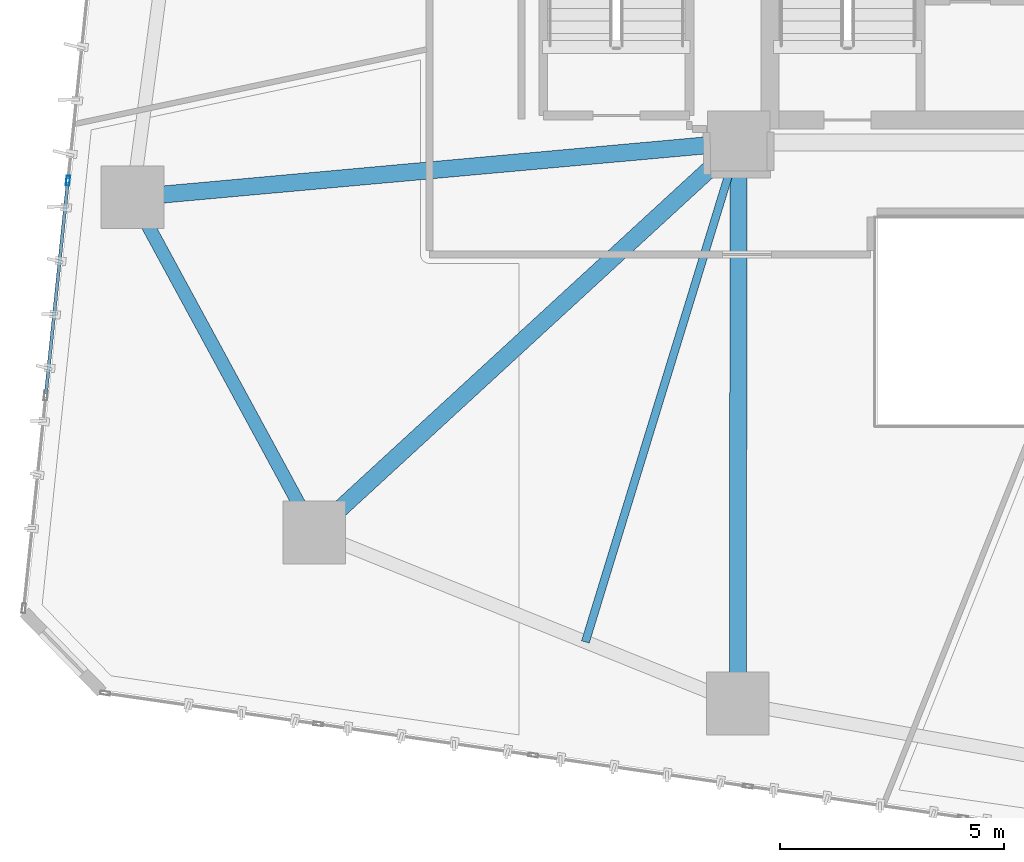
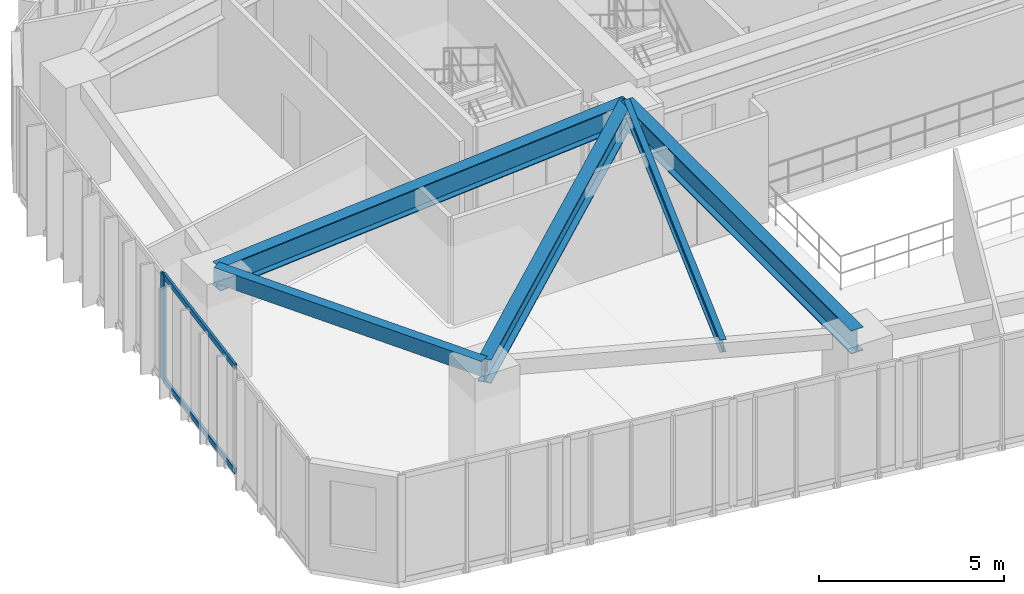
# One storey, part 3 of 22: 5 beams, 3 members, 1 element without a shape of its own.
"""IFC4 building model written with IfcOpenShell, lengths in metres."""

import ifcopenshell
import ifcopenshell.guid

model = None  # the IFC model being written
_history = None  # IfcOwnerHistory: only IFC2X3 demands one
_inside = {}  # id of a spatial element -> (the spatial element, [elements in it])
_under = {}  # id of a project, library or spatial element -> (it, [spatial elements below it])
_declared = {}  # id of a project -> (the project, [libraries it declares])
_typed = {}  # id of a type object -> (the type object, [elements of that type])
_made_of = {}  # id of a material, layer set ... -> (it, [elements and type objects made of it])


def new_model(schema):
    """Start an empty IFC model of exactly this schema.

    Asked for "IFC4X3", IfcOpenShell would pick the latest addendum, in which some entities
    have other attributes; the version numbers below select the first issue.
    IFC2X3 requires an IfcOwnerHistory on every rooted entity: one is made here for all.
    """
    global model, _history
    if schema == "IFC4X3":
        model = ifcopenshell.file(schema_version=(4, 3, 0, 0))
    else:
        model = ifcopenshell.file(schema=schema)
    _inside.clear()
    _under.clear()
    _declared.clear()
    _typed.clear()
    _made_of.clear()
    _history = None
    if model.schema == "IFC2X3":
        org = make("IfcOrganization", Name="unknown")
        user = make(
            "IfcPersonAndOrganization",
            ThePerson=make("IfcPerson", FamilyName="unknown"),
            TheOrganization=org,
        )
        app = make(
            "IfcApplication",
            ApplicationDeveloper=org,
            Version="unknown",
            ApplicationFullName="unknown",
            ApplicationIdentifier="unknown",
        )
        _history = make(
            "IfcOwnerHistory",
            OwningUser=user,
            OwningApplication=app,
            ChangeAction="ADDED",
            CreationDate=0,
        )
    return model


def make(cls, **values):
    """One entity of the class cls with the attributes given. An attribute that is None is left unset."""
    return model.create_entity(
        cls, **{name: value for name, value in values.items() if value is not None}
    )


def rooted(cls, **values):
    """An entity with a GlobalId (a new one), such as an element, a storey or a relation."""
    return make(cls, GlobalId=ifcopenshell.guid.new(), OwnerHistory=_history, **values)


def si_unit(unit_type, name, prefix=None):
    """IfcSIUnit, for example si_unit("LENGTHUNIT", "METRE", prefix="MILLI")."""
    return make("IfcSIUnit", UnitType=unit_type, Prefix=prefix, Name=name)


def assignment(units):
    """IfcUnitAssignment: the units of a project."""
    return None if units is None else make("IfcUnitAssignment", Units=units)


def point(xyz):
    """IfcCartesianPoint."""
    return None if xyz is None else make("IfcCartesianPoint", Coordinates=xyz)


def direction(xyz):
    """IfcDirection."""
    return None if xyz is None else make("IfcDirection", DirectionRatios=xyz)


def frame(location, z_axis=None, x_axis=None):
    """IfcAxis2Placement3D, a coordinate frame: its origin and axes. An axis left out is left unset."""
    return make(
        "IfcAxis2Placement3D",
        Location=point(location),
        Axis=direction(z_axis),
        RefDirection=direction(x_axis),
    )


def frame_2d(location, x_axis=None):
    """IfcAxis2Placement2D, a coordinate frame in the plane: its origin and x axis."""
    return make(
        "IfcAxis2Placement2D", Location=point(location), RefDirection=direction(x_axis)
    )


def origin():
    """The frame at (0, 0, 0) with its axes left unset."""
    return frame((0.0, 0.0, 0.0))


def origin_2d():
    """The frame at (0, 0) in the plane with its x axis left unset."""
    return frame_2d((0.0, 0.0))


def place(relative_to, where):
    """IfcLocalPlacement: puts the frame where relative to a parent placement (None: the world)."""
    return make(
        "IfcLocalPlacement", PlacementRelTo=relative_to, RelativePlacement=where
    )


def context(
    kind, dimensions, precision=None, world=None, true_north=None, identifier=None
):
    """IfcGeometricRepresentationContext, for example the 3D "Model" context."""
    return make(
        "IfcGeometricRepresentationContext",
        ContextIdentifier=identifier,
        ContextType=kind,
        CoordinateSpaceDimension=dimensions,
        Precision=precision,
        WorldCoordinateSystem=world,
        TrueNorth=true_north,
    )


def subcontext(parent, identifier, kind, view, scale=None):
    """IfcGeometricRepresentationSubContext, for example "Body" below "Model"."""
    return make(
        "IfcGeometricRepresentationSubContext",
        ContextIdentifier=identifier,
        ContextType=kind,
        ParentContext=parent,
        TargetScale=scale,
        TargetView=view,
    )


def project(units=None, contexts=None):
    """IfcProject with its units and contexts."""
    return rooted(
        "IfcProject",
        Name="project",
        RepresentationContexts=contexts,
        UnitsInContext=assignment(units),
    )


def spatial(cls, under=None, at=None, **own):
    """A site, building, storey or space (cls), placed at a placement, below another one or the project."""
    s = rooted(cls, ObjectPlacement=at, **own)
    if under is not None:
        _under.setdefault(under.id(), (under, []))[1].append(s)
    return s


def profile(cls, at=None, kind="AREA", **sizes):
    """A parametric profile (cls). Its sizes go by their IFC names, for example OverallWidth=200.0."""
    return make(cls, ProfileType=kind, Position=at, **sizes)


def hollow_rectangle(**sizes):
    """IfcRectangleHollowProfileDef."""
    return profile("IfcRectangleHollowProfileDef", **sizes)


def i_section(**sizes):
    """IfcIShapeProfileDef."""
    return profile("IfcIShapeProfileDef", **sizes)


def extrude(swept, where, along, depth):
    """IfcExtrudedAreaSolid: the profile swept, set in the frame where, extruded along a direction by depth."""
    return make(
        "IfcExtrudedAreaSolid",
        SweptArea=swept,
        Position=where,
        ExtrudedDirection=direction(along),
        Depth=depth,
    )


def shape(context_of_items, identifier, shape_type, items):
    """IfcShapeRepresentation: the items that make up one representation, for example the "Body"."""
    return make(
        "IfcShapeRepresentation",
        ContextOfItems=context_of_items,
        RepresentationIdentifier=identifier,
        RepresentationType=shape_type,
        Items=items,
    )


def source(mapping_origin, context_of_items, identifier, shape_type, items):
    """IfcRepresentationMap: a shape defined once, which mapped items show again and again."""
    return make(
        "IfcRepresentationMap",
        MappingOrigin=mapping_origin,
        MappedRepresentation=shape(context_of_items, identifier, shape_type, items),
    )


def transform(
    local_origin,
    x_axis=None,
    y_axis=None,
    z_axis=None,
    scale=None,
    scale2=None,
    scale3=None,
    uniform=True,
):
    """IfcCartesianTransformationOperator3D, or its non-uniform kind. x_axis, y_axis, z_axis: its Axis1, 2, 3."""
    if uniform:
        return make(
            "IfcCartesianTransformationOperator3D",
            Axis1=direction(x_axis),
            Axis2=direction(y_axis),
            LocalOrigin=point(local_origin),
            Scale=scale,
            Axis3=direction(z_axis),
        )
    return make(
        "IfcCartesianTransformationOperator3DnonUniform",
        Axis1=direction(x_axis),
        Axis2=direction(y_axis),
        LocalOrigin=point(local_origin),
        Scale=scale,
        Axis3=direction(z_axis),
        Scale2=scale2,
        Scale3=scale3,
    )


def mapped(mapping_source, mapping_target):
    """IfcMappedItem: shows the shape of a source again, moved by a transform."""
    return make(
        "IfcMappedItem", MappingSource=mapping_source, MappingTarget=mapping_target
    )


def material(Name=None, Category=None):
    """IfcMaterial."""
    return make("IfcMaterial", Name=Name, Category=Category)


def layer(
    of_material, thickness, ventilated=None, Name=None, Category=None, Priority=None
):
    """IfcMaterialLayer: one layer of a wall or slab, of a material (None: an air gap)."""
    return make(
        "IfcMaterialLayer",
        Material=of_material,
        LayerThickness=thickness,
        IsVentilated=ventilated,
        Name=Name,
        Category=Category,
        Priority=Priority,
    )


def layer_set(layers, Name=None):
    """IfcMaterialLayerSet."""
    return make("IfcMaterialLayerSet", MaterialLayers=layers, LayerSetName=Name)


def material_profile(
    of_material, cross_section, Name=None, Category=None, Priority=None
):
    """IfcMaterialProfile: a cross section and its material."""
    return make(
        "IfcMaterialProfile",
        Name=Name,
        Material=of_material,
        Profile=cross_section,
        Priority=Priority,
        Category=Category,
    )


def profile_set(profiles, Name=None, composite=None):
    """IfcMaterialProfileSet."""
    return make(
        "IfcMaterialProfileSet",
        Name=Name,
        MaterialProfiles=profiles,
        CompositeProfile=composite,
    )


def made_of(thing, what):
    """Note that an element or type object is made of a material, layer set ...; save() writes the relation."""
    if what is not None:
        _made_of.setdefault(what.id(), (what, []))[1].append(thing)
    return thing


def type_object(cls, material=None, **own):
    """A type object (cls), such as IfcWallType, which elements share."""
    return made_of(rooted(cls, **own), material)


def type_shapes(of_type, sources):
    """Give a type object the sources (RepresentationMaps) that its elements show as mapped items."""
    of_type.RepresentationMaps = sources


def element(
    cls,
    number,
    at=None,
    inside=None,
    cuts=None,
    type_object=None,
    material=None,
    context=None,
    identifier="Body",
    shape_type=None,
    held_by="IfcProductDefinitionShape",
    body=None,
    shapes=None,
    **own,
):
    """One element of the class cls, such as IfcWall. Its Tag is "e" and its number.

    at: its placement. inside: the storey or other place that contains it. cuts: it is an
    opening in that element (IfcRelVoidsElement). A single representation is given by context,
    identifier, shape_type and body (its items); several are given by shapes. held_by: the class
    of the entity that holds the representations. save() writes the other relations.
    """
    e = rooted(cls, Tag="e%d" % number, ObjectPlacement=at, **own)
    if body is not None:
        shapes = [shape(context, identifier, shape_type, body)]
    if shapes is not None:
        e.Representation = make(held_by, Representations=shapes)
    if inside is not None:
        _inside.setdefault(inside.id(), (inside, []))[1].append(e)
    if cuts is not None:
        rooted(
            "IfcRelVoidsElement", RelatingBuildingElement=cuts, RelatedOpeningElement=e
        )
    if type_object is not None:
        _typed.setdefault(type_object.id(), (type_object, []))[1].append(e)
    return made_of(e, material)


def aggregate(whole, parts):
    """IfcRelAggregates: a whole, such as a stair, and the parts it consists of."""
    return rooted("IfcRelAggregates", RelatingObject=whole, RelatedObjects=parts)


def save(model, path):
    """Write the relations noted so far, then the file.

    IfcRelAggregates (storeys below a building ...), IfcRelContainedInSpatialStructure (elements
    in a storey), IfcRelDefinesByType, IfcRelAssociatesMaterial and IfcRelDeclares: one each for
    every whole, place, type object, material and project.
    """
    for whole, parts in _under.values():
        aggregate(whole, parts)
    for where, things in _inside.values():
        rooted(
            "IfcRelContainedInSpatialStructure",
            RelatedElements=things,
            RelatingStructure=where,
        )
    for kind, things in _typed.values():
        rooted("IfcRelDefinesByType", RelatedObjects=things, RelatingType=kind)
    for what, things in _made_of.values():
        rooted("IfcRelAssociatesMaterial", RelatedObjects=things, RelatingMaterial=what)
    for by, libraries in _declared.values():
        rooted("IfcRelDeclares", RelatingContext=by, RelatedDefinitions=libraries)
    model.write(path)


model = new_model("IFC4")

# Units and contexts
model_context = context("Model", 3, precision=1e-05, world=origin(), true_north=direction((0.0, 1.0)))
body_context = subcontext(model_context, "Body", "Model", "MODEL_VIEW")
ifc_project = project(units=[si_unit("LENGTHUNIT", "METRE"), si_unit("AREAUNIT", "SQUARE_METRE"), si_unit("VOLUMEUNIT", "CUBIC_METRE"), si_unit("PLANEANGLEUNIT", "RADIAN"), si_unit("MASSUNIT", "GRAM", prefix="KILO")], contexts=[model_context])

# Site, building, storey
site_placement = place(None, origin())
site = spatial("IfcSite", under=ifc_project, at=site_placement, CompositionType="ELEMENT")
building_placement = place(site_placement, origin())
building = spatial("IfcBuilding", under=site, at=building_placement, Name="Talar Marvaseh", CompositionType="ELEMENT")
storey_placement = place(building_placement, frame((0.0, 0.0, 65.800048828125)))
storey = spatial("IfcBuildingStorey", under=building, at=storey_placement, Name="L16", CompositionType="ELEMENT", Elevation=65.800048828125)

# Beams
ifc_material_1 = material(Name="Steel S355", Category="steel")
ifc_material_profile_1 = material_profile(ifc_material_1, hollow_rectangle(XDim=0.300048828125, YDim=0.5, WallThickness=0.02001953125, at=origin_2d()), Name="RHS500x300x20")
ifc_profile_set_1 = profile_set([ifc_material_profile_1], Name="Steel S355")
beam_type_1 = type_object("IfcBeamType", Name="Zone 1 Perimeter Spandrel Beam RHS500x300x20", PredefinedType="SPANDREL", material=ifc_profile_set_1)
beam_1_placement = place(storey_placement, frame((9.23193359375, 16.7958984375, 3.27001953125), z_axis=(-0.476758155578, 0.879034505062, 0.0), x_axis=(-0.879034505062, -0.476758155578, 0.0)))
element("IfcBeam", 1, at=beam_1_placement, inside=storey, type_object=beam_type_1, Name="L16 Zone 1 Perimeter Spandrel Beam RHS500x300x20", PredefinedType="SPANDREL", context=body_context, shape_type="SweptSolid", body=[
    extrude(hollow_rectangle(XDim=0.300048828125, YDim=0.5, WallThickness=0.02001953125, at=origin_2d()), origin(), (0.0, 0.0, 1.0), 8.50927734375),
])
ifc_material_profile_2 = material_profile(ifc_material_1, i_section(OverallWidth=0.381103515625, OverallDepth=0.77294921875, WebThickness=0.0166015625, FlangeThickness=0.027099609375, at=origin_2d()), Name="W760x257")
ifc_profile_set_2 = profile_set([ifc_material_profile_2], Name="Steel S355")
beam_type_2 = type_object("IfcBeamType", Name="Zone 1 Radial Floor Girder W760x257", PredefinedType="BEAM", material=ifc_profile_set_2)
beam_2_placement = place(storey_placement, frame((18.68310546875, 12.97900390625, 3.133544921875), z_axis=(0.001345395187, 0.999999094955, 0.0), x_axis=(-0.999999094955, 0.001345395187, 0.0)))
element("IfcBeam", 2, at=beam_2_placement, inside=storey, type_object=beam_type_2, Name="L16 Zone 1 Radial Floor Girder W760x257", PredefinedType="BEAM", context=body_context, shape_type="SweptSolid", body=[
    extrude(i_section(OverallWidth=0.381103515625, OverallDepth=0.77294921875, WebThickness=0.0166015625, FlangeThickness=0.027099609375, at=origin_2d()), origin(), (0.0, 0.0, 1.0), 12.52099609375),
])
beam_3_placement = place(storey_placement, frame((9.23193359375, 16.7958984375, 3.133544921875), z_axis=(0.736181804049, 0.676783829142, 0.0), x_axis=(-0.676783829142, 0.736181804049, 0.0)))
element("IfcBeam", 3, at=beam_3_placement, inside=storey, type_object=beam_type_2, Name="L16 Zone 1 Radial Floor Girder W760x257", PredefinedType="BEAM", context=body_context, shape_type="SweptSolid", body=[
    extrude(i_section(OverallWidth=0.381103515625, OverallDepth=0.77294921875, WebThickness=0.0166015625, FlangeThickness=0.027099609375, at=origin_2d()), origin(), (0.0, 0.0, 1.0), 12.861083984375),
])
beam_4_placement = place(storey_placement, frame((5.175048828125, 24.27587890625, 3.133544921875), z_axis=(0.995929083348, 0.090140229321, 0.0), x_axis=(-0.090140229321, 0.995929083348, 0.0)))
element("IfcBeam", 4, at=beam_4_placement, inside=storey, type_object=beam_type_2, Name="L16 Zone 1 Radial Floor Girder W760x257", PredefinedType="BEAM", context=body_context, shape_type="SweptSolid", body=[
    extrude(i_section(OverallWidth=0.381103515625, OverallDepth=0.77294921875, WebThickness=0.0166015625, FlangeThickness=0.027099609375, at=origin_2d()), origin(), (0.0, 0.0, 1.0), 13.580078125),
])
ifc_material_profile_3 = material_profile(ifc_material_1, i_section(OverallWidth=0.179931640625, OverallDepth=0.4130859375, WebThickness=0.009765625, FlangeThickness=0.01611328125, at=origin_2d()), Name="W410x75")
ifc_profile_set_3 = profile_set([ifc_material_profile_3], Name="Steel S355")
beam_type_3 = type_object("IfcBeamType", Name="Zone 1 Secondary Floor Joist W410x75", PredefinedType="JOIST", material=ifc_profile_set_3)
beam_5_placement = place(storey_placement, frame((15.280517578125, 14.35302734375, 3.3134765625), z_axis=(0.293270595159, 0.956029475495, 0.0), x_axis=(-0.956029475495, 0.293270595159, 0.0)))
element("IfcBeam", 5, at=beam_5_placement, inside=storey, type_object=beam_type_3, Name="L16 Zone 1 Secondary Floor Joist W410x75", PredefinedType="JOIST", context=body_context, shape_type="SweptSolid", body=[
    extrude(i_section(OverallWidth=0.179931640625, OverallDepth=0.4130859375, WebThickness=0.009765625, FlangeThickness=0.01611328125, at=origin_2d()), origin(), (0.0, 0.0, 1.0), 11.65966796875),
])

# Curtain wall, members
ifc_material_2 = material(Name="Architectural Aluminium", Category="aluminium")
ifc_layer = layer(ifc_material_2, 0.219970703125)
ifc_layer_set = layer_set([ifc_layer], Name="Architectural Aluminium")
curtain_wall_type = type_object("IfcCurtainWallType", Name="Unitised Low-E Museum Curtain Wall Z1", PredefinedType="NOTDEFINED", material=ifc_layer_set)
curtain_wall_placement = place(storey_placement, origin())
curtain_wall = element("IfcCurtainWall", 6, at=curtain_wall_placement, inside=storey, type_object=curtain_wall_type, Name="L16 Unitised Low-E Museum Curtain Wall Z1", PredefinedType="NOTDEFINED")
ifc_material_profile_4 = material_profile(ifc_material_2, hollow_rectangle(XDim=0.080078125, YDim=0.219970703125, WallThickness=0.0048828125, at=origin_2d()), Name="RHS220x80x5")
ifc_profile_set_4 = profile_set([ifc_material_profile_4], Name="Architectural Aluminium")
member_type_1 = type_object("IfcMemberType", Name="Unitised Curtain Wall Heavy Mullion RHS220x80x5", PredefinedType="MULLION", material=ifc_profile_set_4)
shared_shape_1 = source(origin(), body_context, "Body", "SweptSolid", [
    extrude(hollow_rectangle(XDim=0.080078125, YDim=0.219970703125, WallThickness=0.0048828125, at=origin_2d()), origin(), (0.0, 0.0, 1.0), 3.52001953125),
])
type_shapes(member_type_1, [shared_shape_1])
member_1_placement = place(storey_placement, frame((3.733642578125, 24.64599609375, 0.0), z_axis=(0.0, 0.0, 1.0), x_axis=(-0.994696116213, 0.102857359443, 0.0)))
member_1 = element("IfcMember", 7, at=member_1_placement, type_object=member_type_1, Name="CW-Z1 mullion 3", PredefinedType="MULLION", context=body_context, shape_type="MappedRepresentation", body=[
    mapped(shared_shape_1, transform((0.0, 0.0, 0.0), x_axis=(1.0, 0.0, 0.0), y_axis=(0.0, 1.0, 0.0), z_axis=(0.0, 0.0, 1.0), scale=1.0)),
])
ifc_material_profile_5 = material_profile(ifc_material_2, hollow_rectangle(XDim=0.074951171875, YDim=0.179931640625, WallThickness=0.0048828125, at=origin_2d()), Name="RHS180x75x5")
ifc_profile_set_5 = profile_set([ifc_material_profile_5], Name="Architectural Aluminium")
member_type_2 = type_object("IfcMemberType", Name="Unitised Curtain Wall Transom RHS180x75x5", PredefinedType="USERDEFINED", material=ifc_profile_set_5)
shared_shape_2 = source(origin(), body_context, "Body", "SweptSolid", [
    extrude(hollow_rectangle(XDim=0.074951171875, YDim=0.179931640625, WallThickness=0.0048828125, at=origin_2d()), origin(), (0.0, 0.0, 1.0), 4.736572265625),
])
type_shapes(member_type_2, [shared_shape_2])
member_2_placement = place(storey_placement, frame((3.242431640625, 19.894775390625, 0.037353515625), z_axis=(0.102881565514, 0.994693612867, 0.0), x_axis=(-0.994693612867, 0.102881565514, 0.0)))
member_2 = element("IfcMember", 8, at=member_2_placement, type_object=member_type_2, Name="CW-Z1 transom 2.1", ObjectType="TRANSOM", PredefinedType="USERDEFINED", context=body_context, shape_type="MappedRepresentation", body=[
    mapped(shared_shape_2, transform((0.0, 0.0, 0.0), x_axis=(1.0, 0.0, 0.0), y_axis=(0.0, 1.0, 0.0), z_axis=(0.0, 0.0, 1.0), scale=1.0)),
])
member_3_placement = place(storey_placement, frame((3.242431640625, 19.894775390625, 3.482421875), z_axis=(0.102881565514, 0.994693612867, 0.0), x_axis=(-0.994693612867, 0.102881565514, 0.0)))
member_3 = element("IfcMember", 9, at=member_3_placement, type_object=member_type_2, Name="CW-Z1 transom 2.2", ObjectType="TRANSOM", PredefinedType="USERDEFINED", context=body_context, shape_type="MappedRepresentation", body=[
    mapped(shared_shape_2, transform((0.0, 0.0, 0.0), x_axis=(1.0, 0.0, 0.0), y_axis=(0.0, 1.0, 0.0), z_axis=(0.0, 0.0, 1.0), scale=1.0)),
])
aggregate(curtain_wall, [member_1, member_2, member_3])

save(model, "model.ifc")
